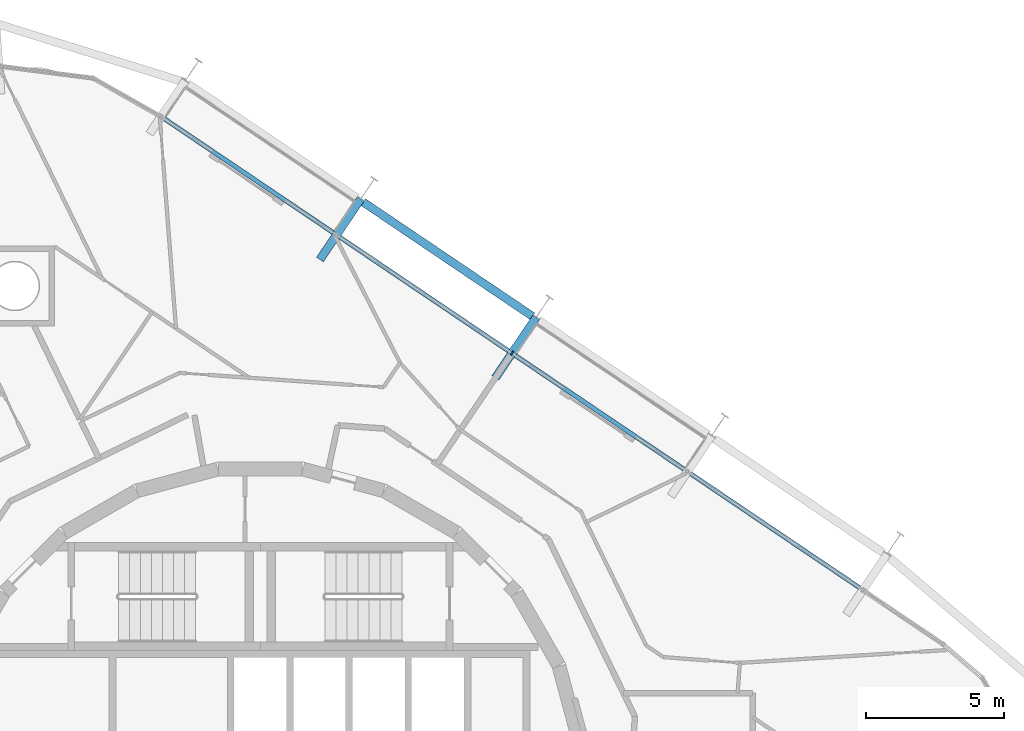
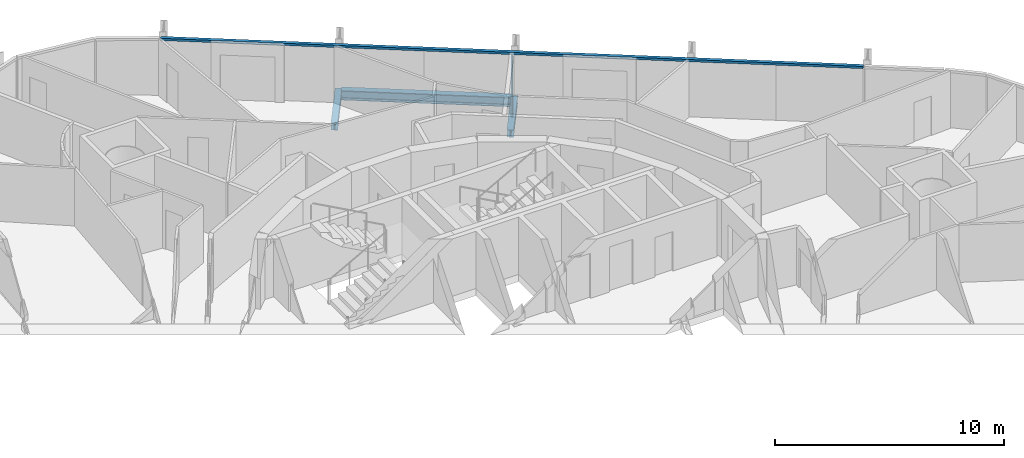
# One storey, part 7 of 17: 3 beams, 2 members, 1 element without a shape of its own.
"""IFC4 building model written with IfcOpenShell, lengths in metres."""

import ifcopenshell
import ifcopenshell.guid

model = None  # the IFC model being written
_history = None  # IfcOwnerHistory: only IFC2X3 demands one
_inside = {}  # id of a spatial element -> (the spatial element, [elements in it])
_under = {}  # id of a project, library or spatial element -> (it, [spatial elements below it])
_declared = {}  # id of a project -> (the project, [libraries it declares])
_typed = {}  # id of a type object -> (the type object, [elements of that type])
_made_of = {}  # id of a material, layer set ... -> (it, [elements and type objects made of it])


def new_model(schema):
    """Start an empty IFC model of exactly this schema.

    Asked for "IFC4X3", IfcOpenShell would pick the latest addendum, in which some entities
    have other attributes; the version numbers below select the first issue.
    IFC2X3 requires an IfcOwnerHistory on every rooted entity: one is made here for all.
    """
    global model, _history
    if schema == "IFC4X3":
        model = ifcopenshell.file(schema_version=(4, 3, 0, 0))
    else:
        model = ifcopenshell.file(schema=schema)
    _inside.clear()
    _under.clear()
    _declared.clear()
    _typed.clear()
    _made_of.clear()
    _history = None
    if model.schema == "IFC2X3":
        org = make("IfcOrganization", Name="unknown")
        user = make(
            "IfcPersonAndOrganization",
            ThePerson=make("IfcPerson", FamilyName="unknown"),
            TheOrganization=org,
        )
        app = make(
            "IfcApplication",
            ApplicationDeveloper=org,
            Version="unknown",
            ApplicationFullName="unknown",
            ApplicationIdentifier="unknown",
        )
        _history = make(
            "IfcOwnerHistory",
            OwningUser=user,
            OwningApplication=app,
            ChangeAction="ADDED",
            CreationDate=0,
        )
    return model


def make(cls, **values):
    """One entity of the class cls with the attributes given. An attribute that is None is left unset."""
    return model.create_entity(
        cls, **{name: value for name, value in values.items() if value is not None}
    )


def rooted(cls, **values):
    """An entity with a GlobalId (a new one), such as an element, a storey or a relation."""
    return make(cls, GlobalId=ifcopenshell.guid.new(), OwnerHistory=_history, **values)


def si_unit(unit_type, name, prefix=None):
    """IfcSIUnit, for example si_unit("LENGTHUNIT", "METRE", prefix="MILLI")."""
    return make("IfcSIUnit", UnitType=unit_type, Prefix=prefix, Name=name)


def assignment(units):
    """IfcUnitAssignment: the units of a project."""
    return None if units is None else make("IfcUnitAssignment", Units=units)


def point(xyz):
    """IfcCartesianPoint."""
    return None if xyz is None else make("IfcCartesianPoint", Coordinates=xyz)


def direction(xyz):
    """IfcDirection."""
    return None if xyz is None else make("IfcDirection", DirectionRatios=xyz)


def frame(location, z_axis=None, x_axis=None):
    """IfcAxis2Placement3D, a coordinate frame: its origin and axes. An axis left out is left unset."""
    return make(
        "IfcAxis2Placement3D",
        Location=point(location),
        Axis=direction(z_axis),
        RefDirection=direction(x_axis),
    )


def frame_2d(location, x_axis=None):
    """IfcAxis2Placement2D, a coordinate frame in the plane: its origin and x axis."""
    return make(
        "IfcAxis2Placement2D", Location=point(location), RefDirection=direction(x_axis)
    )


def origin():
    """The frame at (0, 0, 0) with its axes left unset."""
    return frame((0.0, 0.0, 0.0))


def origin_2d():
    """The frame at (0, 0) in the plane with its x axis left unset."""
    return frame_2d((0.0, 0.0))


def place(relative_to, where):
    """IfcLocalPlacement: puts the frame where relative to a parent placement (None: the world)."""
    return make(
        "IfcLocalPlacement", PlacementRelTo=relative_to, RelativePlacement=where
    )


def context(
    kind, dimensions, precision=None, world=None, true_north=None, identifier=None
):
    """IfcGeometricRepresentationContext, for example the 3D "Model" context."""
    return make(
        "IfcGeometricRepresentationContext",
        ContextIdentifier=identifier,
        ContextType=kind,
        CoordinateSpaceDimension=dimensions,
        Precision=precision,
        WorldCoordinateSystem=world,
        TrueNorth=true_north,
    )


def subcontext(parent, identifier, kind, view, scale=None):
    """IfcGeometricRepresentationSubContext, for example "Body" below "Model"."""
    return make(
        "IfcGeometricRepresentationSubContext",
        ContextIdentifier=identifier,
        ContextType=kind,
        ParentContext=parent,
        TargetScale=scale,
        TargetView=view,
    )


def project(units=None, contexts=None):
    """IfcProject with its units and contexts."""
    return rooted(
        "IfcProject",
        Name="project",
        RepresentationContexts=contexts,
        UnitsInContext=assignment(units),
    )


def spatial(cls, under=None, at=None, **own):
    """A site, building, storey or space (cls), placed at a placement, below another one or the project."""
    s = rooted(cls, ObjectPlacement=at, **own)
    if under is not None:
        _under.setdefault(under.id(), (under, []))[1].append(s)
    return s


def profile(cls, at=None, kind="AREA", **sizes):
    """A parametric profile (cls). Its sizes go by their IFC names, for example OverallWidth=200.0."""
    return make(cls, ProfileType=kind, Position=at, **sizes)


def rectangle(**sizes):
    """IfcRectangleProfileDef."""
    return profile("IfcRectangleProfileDef", **sizes)


def i_section(**sizes):
    """IfcIShapeProfileDef."""
    return profile("IfcIShapeProfileDef", **sizes)


def extrude(swept, where, along, depth):
    """IfcExtrudedAreaSolid: the profile swept, set in the frame where, extruded along a direction by depth."""
    return make(
        "IfcExtrudedAreaSolid",
        SweptArea=swept,
        Position=where,
        ExtrudedDirection=direction(along),
        Depth=depth,
    )


def shape(context_of_items, identifier, shape_type, items):
    """IfcShapeRepresentation: the items that make up one representation, for example the "Body"."""
    return make(
        "IfcShapeRepresentation",
        ContextOfItems=context_of_items,
        RepresentationIdentifier=identifier,
        RepresentationType=shape_type,
        Items=items,
    )


def material(Name=None, Category=None):
    """IfcMaterial."""
    return make("IfcMaterial", Name=Name, Category=Category)


def layer(
    of_material, thickness, ventilated=None, Name=None, Category=None, Priority=None
):
    """IfcMaterialLayer: one layer of a wall or slab, of a material (None: an air gap)."""
    return make(
        "IfcMaterialLayer",
        Material=of_material,
        LayerThickness=thickness,
        IsVentilated=ventilated,
        Name=Name,
        Category=Category,
        Priority=Priority,
    )


def layer_set(layers, Name=None):
    """IfcMaterialLayerSet."""
    return make("IfcMaterialLayerSet", MaterialLayers=layers, LayerSetName=Name)


def material_profile(
    of_material, cross_section, Name=None, Category=None, Priority=None
):
    """IfcMaterialProfile: a cross section and its material."""
    return make(
        "IfcMaterialProfile",
        Name=Name,
        Material=of_material,
        Profile=cross_section,
        Priority=Priority,
        Category=Category,
    )


def profile_set(profiles, Name=None, composite=None):
    """IfcMaterialProfileSet."""
    return make(
        "IfcMaterialProfileSet",
        Name=Name,
        MaterialProfiles=profiles,
        CompositeProfile=composite,
    )


def made_of(thing, what):
    """Note that an element or type object is made of a material, layer set ...; save() writes the relation."""
    if what is not None:
        _made_of.setdefault(what.id(), (what, []))[1].append(thing)
    return thing


def type_object(cls, material=None, **own):
    """A type object (cls), such as IfcWallType, which elements share."""
    return made_of(rooted(cls, **own), material)


def element(
    cls,
    number,
    at=None,
    inside=None,
    cuts=None,
    type_object=None,
    material=None,
    context=None,
    identifier="Body",
    shape_type=None,
    held_by="IfcProductDefinitionShape",
    body=None,
    shapes=None,
    **own,
):
    """One element of the class cls, such as IfcWall. Its Tag is "e" and its number.

    at: its placement. inside: the storey or other place that contains it. cuts: it is an
    opening in that element (IfcRelVoidsElement). A single representation is given by context,
    identifier, shape_type and body (its items); several are given by shapes. held_by: the class
    of the entity that holds the representations. save() writes the other relations.
    """
    e = rooted(cls, Tag="e%d" % number, ObjectPlacement=at, **own)
    if body is not None:
        shapes = [shape(context, identifier, shape_type, body)]
    if shapes is not None:
        e.Representation = make(held_by, Representations=shapes)
    if inside is not None:
        _inside.setdefault(inside.id(), (inside, []))[1].append(e)
    if cuts is not None:
        rooted(
            "IfcRelVoidsElement", RelatingBuildingElement=cuts, RelatedOpeningElement=e
        )
    if type_object is not None:
        _typed.setdefault(type_object.id(), (type_object, []))[1].append(e)
    return made_of(e, material)


def aggregate(whole, parts):
    """IfcRelAggregates: a whole, such as a stair, and the parts it consists of."""
    return rooted("IfcRelAggregates", RelatingObject=whole, RelatedObjects=parts)


def save(model, path):
    """Write the relations noted so far, then the file.

    IfcRelAggregates (storeys below a building ...), IfcRelContainedInSpatialStructure (elements
    in a storey), IfcRelDefinesByType, IfcRelAssociatesMaterial and IfcRelDeclares: one each for
    every whole, place, type object, material and project.
    """
    for whole, parts in _under.values():
        aggregate(whole, parts)
    for where, things in _inside.values():
        rooted(
            "IfcRelContainedInSpatialStructure",
            RelatedElements=things,
            RelatingStructure=where,
        )
    for kind, things in _typed.values():
        rooted("IfcRelDefinesByType", RelatedObjects=things, RelatingType=kind)
    for what, things in _made_of.values():
        rooted("IfcRelAssociatesMaterial", RelatedObjects=things, RelatingMaterial=what)
    for by, libraries in _declared.values():
        rooted("IfcRelDeclares", RelatingContext=by, RelatedDefinitions=libraries)
    model.write(path)


model = new_model("IFC4")

# Units and contexts
model_context = context("Model", 3, precision=1e-05, world=origin(), true_north=direction((0.0, 1.0)))
body_context = subcontext(model_context, "Body", "Model", "MODEL_VIEW")
ifc_project = project(units=[si_unit("LENGTHUNIT", "METRE"), si_unit("AREAUNIT", "SQUARE_METRE"), si_unit("VOLUMEUNIT", "CUBIC_METRE"), si_unit("PLANEANGLEUNIT", "RADIAN"), si_unit("MASSUNIT", "GRAM", prefix="KILO")], contexts=[model_context])

# Site, building, storey
site_placement = place(None, origin())
site = spatial("IfcSite", under=ifc_project, at=site_placement, CompositionType="ELEMENT")
building_placement = place(site_placement, origin())
building = spatial("IfcBuilding", under=site, at=building_placement, Name="Spindle Arch Residences", CompositionType="ELEMENT")
storey_placement = place(building_placement, frame((0.0, 0.0, 216.39990234375)))
storey = spatial("IfcBuildingStorey", under=building, at=storey_placement, Name="L55", CompositionType="ELEMENT", Elevation=216.39990234375)

# Curtain wall, members
ifc_material_1 = material(Name="Aluminium bronze unitised frame with tinted glass", Category="aluminium")
ifc_layer = layer(ifc_material_1, 0.159912109375)
ifc_layer_set = layer_set([ifc_layer], Name="CW-C typical residential unitised wall")
curtain_wall_type = type_object("IfcCurtainWallType", Name="CW-C typical residential unitised wall", PredefinedType="NOTDEFINED", material=ifc_layer_set)
curtain_wall_placement = place(storey_placement, origin())
curtain_wall = element("IfcCurtainWall", 1, at=curtain_wall_placement, inside=storey, type_object=curtain_wall_type, Name="CW-C L55 run 2", PredefinedType="NOTDEFINED")
ifc_material_2 = material(Name="Aluminium bronze anodised mullion", Category="aluminium")
ifc_material_profile_1 = material_profile(ifc_material_2, rectangle(XDim=0.159912109375, YDim=0.06005859375, at=origin_2d()), Name="MU 60x160")
ifc_profile_set_1 = profile_set([ifc_material_profile_1], Name="Aluminium bronze anodised mullion")
member_type_1 = type_object("IfcMemberType", Name="Bronze mullion 60x160", PredefinedType="MULLION", material=ifc_profile_set_1)
member_1_placement = place(storey_placement, frame((9.148193359375, 15.85595703125, -0.3798828125), z_axis=(0.0, 0.0, 1.0), x_axis=(-0.559192903471, -0.829037572555, 0.0)))
member_1 = element("IfcMember", 2, at=member_1_placement, type_object=member_type_1, Name="CW-C mullion 07", PredefinedType="MULLION", context=body_context, shape_type="SweptSolid", body=[
    extrude(rectangle(XDim=0.159912109375, YDim=0.06005859375, at=origin_2d()), origin(), (0.0, 0.0, 1.0), 3.31005859375),
])
ifc_material_3 = material(Name="Aluminium bronze anodised transom", Category="aluminium")
ifc_material_profile_2 = material_profile(ifc_material_3, rectangle(XDim=0.159912109375, YDim=0.1201171875, at=origin_2d()), Name="TR 120x160")
ifc_profile_set_2 = profile_set([ifc_material_profile_2], Name="Aluminium bronze anodised transom")
member_type_2 = type_object("IfcMemberType", Name="Bronze transom 120x160", PredefinedType="USERDEFINED", material=ifc_profile_set_2)
member_2_placement = place(storey_placement, frame((21.880126953125, 7.26806640625, 2.989990234375), z_axis=(-0.829038450691, 0.559191601578, 0.0), x_axis=(-0.559191601578, -0.829038450691, 0.0)))
member_2 = element("IfcMember", 3, at=member_2_placement, type_object=member_type_2, Name="CW-C transom 00", ObjectType="TRANSOM", PredefinedType="USERDEFINED", context=body_context, shape_type="SweptSolid", body=[
    extrude(rectangle(XDim=0.159912109375, YDim=0.1201171875, at=origin_2d()), origin(), (0.0, 0.0, 1.0), 30.71484375),
])
aggregate(curtain_wall, [member_2, member_1])

# Beams
ifc_material_4 = material(Name="Steel S460ML, intumescent coating R 120", Category="steel")
ifc_material_profile_3 = material_profile(ifc_material_4, i_section(OverallWidth=0.300048828125, OverallDepth=0.5, WebThickness=0.014404296875, FlangeThickness=0.028076171875, FilletRadius=0.027099609375, at=origin_2d()), Name="HEB 500")
ifc_profile_set_3 = profile_set([ifc_material_profile_3], Name="Steel S460ML, intumescent coating R 120")
beam_type_1 = type_object("IfcBeamType", Name="Exoskeleton edge beam HEB 500", PredefinedType="BEAM", material=ifc_profile_set_3)
beam_placement = place(storey_placement, frame((9.89599609375, 17.197021484375, -0.6298828125), z_axis=(-0.829031763913, 0.55920151504, 0.0), x_axis=(-0.55920151504, -0.829031763913, 0.0)))
element("IfcBeam", 4, at=beam_placement, inside=storey, type_object=beam_type_1, Name="Exoskeleton edge beam 8", PredefinedType="BEAM", context=body_context, shape_type="SweptSolid", body=[
    extrude(i_section(OverallWidth=0.300048828125, OverallDepth=0.5, WebThickness=0.014404296875, FlangeThickness=0.028076171875, FilletRadius=0.027099609375, at=origin_2d()), origin(), (0.0, 0.0, 1.0), 7.433837890625),
])
ifc_material_5 = material(Name="Steel S460ML, intumescent coating R 120", Category="steel")
ifc_material_profile_4 = material_profile(ifc_material_5, i_section(OverallWidth=0.300048828125, OverallDepth=0.389892578125, WebThickness=0.010986328125, FlangeThickness=0.01904296875, FilletRadius=0.027099609375, at=origin_2d()), Name="HEA 400")
ifc_profile_set_4 = profile_set([ifc_material_profile_4], Name="Steel S460ML, intumescent coating R 120")
beam_type_2 = type_object("IfcBeamType", Name="Floor outrigger HEA 400", PredefinedType="BEAM", material=ifc_profile_set_4)
for number, where, z_axis, x_axis, name in (
    (5, (10.026123046875, 17.157470703125, -0.574951171875), (-0.559241810757, -0.829004582075, 0.0), (0.829004582075, -0.559241810757, 0.0), "Floor outrigger 8"),
    (6, (3.647705078125, 21.459716796875, -0.574951171875), (-0.559135777436, -0.829076101688, 0.0), (0.829076101688, -0.559135777436, 0.0), "Floor outrigger 9"),
):
    element("IfcBeam", number, at=place(storey_placement, frame(where, z_axis=z_axis, x_axis=x_axis)), inside=storey, type_object=beam_type_2, Name=name, PredefinedType="BEAM", context=body_context, shape_type="SweptSolid", body=[
        extrude(i_section(OverallWidth=0.300048828125, OverallDepth=0.389892578125, WebThickness=0.010986328125, FlangeThickness=0.01904296875, FilletRadius=0.027099609375, at=origin_2d()), origin(), (0.0, 0.0, 1.0), 2.64990234375),
    ])

save(model, "model.ifc")
